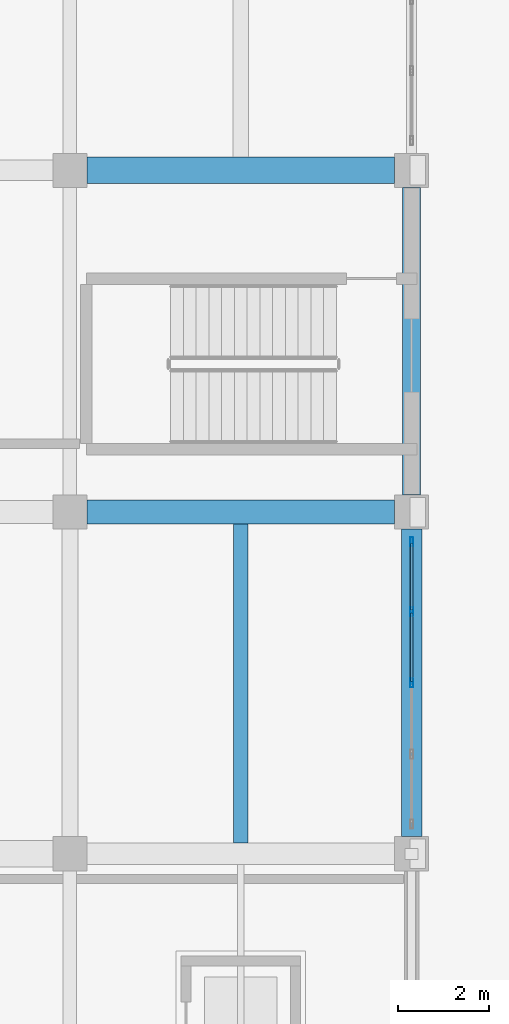
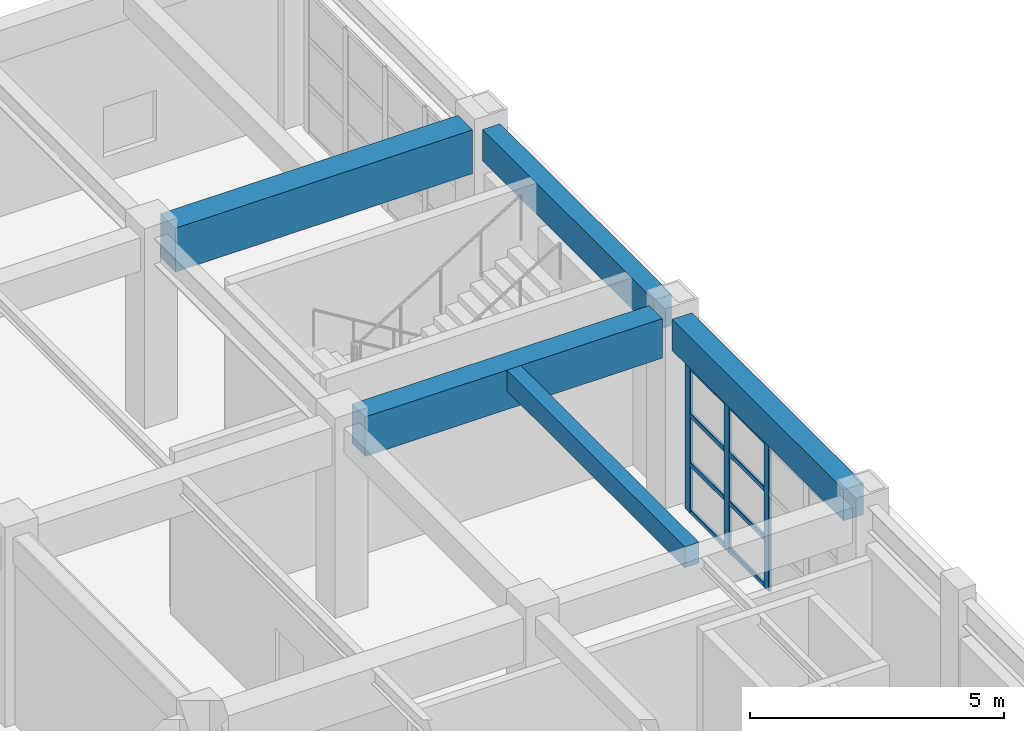
# One storey, part 69 of 122: 11 members, 5 beams, 1 element without a shape of its own.
"""IFC4 building model written with IfcOpenShell, lengths in metres."""

from ifc_helpers import new_model, si_unit, direction, frame, origin, origin_2d, place, context, subcontext, project, spatial, rectangle, hollow_rectangle, extrude, material, material_profile, profile_set, type_object, element, aggregate, save


model = new_model("IFC4")

# Units and contexts
model_context = context("Model", 3, precision=1e-05, world=origin(), true_north=direction((0.0, 1.0)))
body_context = subcontext(model_context, "Body", "Model", "MODEL_VIEW")
ifc_project = project(units=[si_unit("LENGTHUNIT", "METRE"), si_unit("AREAUNIT", "SQUARE_METRE"), si_unit("VOLUMEUNIT", "CUBIC_METRE"), si_unit("PLANEANGLEUNIT", "RADIAN"), si_unit("MASSUNIT", "GRAM", prefix="KILO")], contexts=[model_context])

# Site, building, storey
site_placement = place(None, origin())
site = spatial("IfcSite", under=ifc_project, at=site_placement, CompositionType="ELEMENT")
building_placement = place(site_placement, origin())
building = spatial("IfcBuilding", under=site, at=building_placement, Name="Qasida Concert Hall", CompositionType="ELEMENT")
storey_placement = place(building_placement, origin())
storey = spatial("IfcBuildingStorey", under=building, at=storey_placement, Name="L00", CompositionType="ELEMENT", Elevation=0.0)

# Beams
ifc_material_1 = material(Name="Concrete C40/50", Category="concrete")
ifc_material_profile_1 = material_profile(ifc_material_1, rectangle(XDim=0.52001953125, YDim=0.949951171875, at=origin_2d()), Name="RC 520x950")
ifc_profile_set_1 = profile_set([ifc_material_profile_1], Name="Concrete C40/50")
beam_type_1 = type_object("IfcBeamType", Name="BM-G7", PredefinedType="USERDEFINED", material=ifc_profile_set_1)
beam_1_placement = place(storey_placement, frame((157.875, 97.5, 4.02490234375), z_axis=(1.0, 0.0, 0.0), x_axis=(0.0, 1.0, 0.0)))
element("IfcBeam", 1, at=beam_1_placement, inside=storey, type_object=beam_type_1, Name="Primary girder 0612", ObjectType="GIRDER", PredefinedType="USERDEFINED", context=body_context, shape_type="SweptSolid", body=[
    extrude(rectangle(XDim=0.52001953125, YDim=0.949951171875, at=origin_2d()), origin(), (0.0, 0.0, 1.0), 6.75),
])
ifc_material_2 = material(Name="Concrete C50/60", Category="concrete")
ifc_material_profile_2 = material_profile(ifc_material_2, rectangle(XDim=0.580078125, YDim=1.050048828125, at=origin_2d()), Name="RC 580x1050")
ifc_profile_set_2 = profile_set([ifc_material_profile_2], Name="Concrete C50/60")
beam_type_2 = type_object("IfcBeamType", Name="BM-G8", PredefinedType="USERDEFINED", material=ifc_profile_set_2)
beam_2_placement = place(storey_placement, frame((157.875, 105.0, 3.97509765625), z_axis=(1.0, 0.0, 0.0), x_axis=(0.0, 1.0, 0.0)))
element("IfcBeam", 2, at=beam_2_placement, inside=storey, type_object=beam_type_2, Name="Primary girder 0618", ObjectType="GIRDER", PredefinedType="USERDEFINED", context=body_context, shape_type="SweptSolid", body=[
    extrude(rectangle(XDim=0.580078125, YDim=1.050048828125, at=origin_2d()), origin(), (0.0, 0.0, 1.0), 6.75),
])
ifc_material_profile_3 = material_profile(ifc_material_1, rectangle(XDim=0.320068359375, YDim=0.5, at=origin_2d()), Name="RC 320x500")
ifc_profile_set_3 = profile_set([ifc_material_profile_3], Name="Concrete C40/50")
beam_type_3 = type_object("IfcBeamType", Name="BM-J7", PredefinedType="JOIST", material=ifc_profile_set_3)
beam_3_placement = place(storey_placement, frame((161.25, 90.239990234375, 4.25), z_axis=(0.0, 1.0, 0.0), x_axis=(-1.0, 0.0, 0.0)))
element("IfcBeam", 3, at=beam_3_placement, inside=storey, type_object=beam_type_3, Name="L00 secondary joist 0686", PredefinedType="JOIST", context=body_context, shape_type="SweptSolid", body=[
    extrude(rectangle(XDim=0.320068359375, YDim=0.5, at=origin_2d()), origin(), (0.0, 0.0, 1.0), 7.0),
])
ifc_material_profile_4 = material_profile(ifc_material_1, rectangle(XDim=0.39990234375, YDim=0.75, at=origin_2d()), Name="RC 400x750")
ifc_profile_set_4 = profile_set([ifc_material_profile_4], Name="Concrete C40/50")
beam_type_4 = type_object("IfcBeamType", Name="BM-SP1", PredefinedType="SPANDREL", material=ifc_profile_set_4)
beam_4_placement = place(storey_placement, frame((165.0, 97.875, 4.125), z_axis=(0.0, 1.0, 0.0), x_axis=(-1.0, 0.0, 0.0)))
element("IfcBeam", 4, at=beam_4_placement, inside=storey, type_object=beam_type_4, Name="L00 girder 0658", PredefinedType="SPANDREL", context=body_context, shape_type="SweptSolid", body=[
    extrude(rectangle(XDim=0.39990234375, YDim=0.75, at=origin_2d()), origin(), (0.0, 0.0, 1.0), 6.75),
])
ifc_material_profile_5 = material_profile(ifc_material_1, rectangle(XDim=0.449951171875, YDim=0.75, at=origin_2d()), Name="RC 450x750")
ifc_profile_set_5 = profile_set([ifc_material_profile_5], Name="Concrete C40/50")
beam_type_5 = type_object("IfcBeamType", Name="BM-SP4", PredefinedType="SPANDREL", material=ifc_profile_set_5)
beam_5_placement = place(storey_placement, frame((165.0, 90.375, 4.125), z_axis=(0.0, 1.0, 0.0), x_axis=(-1.0, 0.0, 0.0)))
element("IfcBeam", 5, at=beam_5_placement, inside=storey, type_object=beam_type_5, Name="L00 girder 0657", PredefinedType="SPANDREL", context=body_context, shape_type="SweptSolid", body=[
    extrude(rectangle(XDim=0.449951171875, YDim=0.75, at=origin_2d()), origin(), (0.0, 0.0, 1.0), 6.75),
])

# Curtain wall, members
ifc_material_3 = material(Name="Architectural bronze-anodized aluminium and low-E glass", Category="aluminium")
curtain_wall_type = type_object("IfcCurtainWallType", Name="CW-11", PredefinedType="NOTDEFINED", material=ifc_material_3)
curtain_wall_placement = place(storey_placement, origin())
curtain_wall = element("IfcCurtainWall", 6, at=curtain_wall_placement, inside=storey, type_object=curtain_wall_type, Name="L00 curtain wall CW-11 0157", PredefinedType="NOTDEFINED")
ifc_material_4 = material(Name="Architectural bronze-anodized aluminium EN AW-6063", Category="aluminium")
ifc_material_profile_6 = material_profile(ifc_material_4, hollow_rectangle(XDim=0.06494140625, YDim=0.199951171875, WallThickness=0.0048828125, InnerFilletRadius=0.0048828125, OuterFilletRadius=0.010009765625, at=origin_2d()), Name="CWM 200x65x5")
ifc_profile_set_6 = profile_set([ifc_material_profile_6], Name="Architectural bronze-anodized aluminium EN AW-6063")
member_type_1 = type_object("IfcMemberType", Name="MB-CWM-2", PredefinedType="MULLION", material=ifc_profile_set_6)
member_1_placement = place(storey_placement, frame((165.0, 93.75, 0.0), z_axis=(0.0, 0.0, 1.0), x_axis=(-1.0, 0.0, 0.0)))
member_1 = element("IfcMember", 7, at=member_1_placement, type_object=member_type_1, Name="CW-11 mullion 3", PredefinedType="MULLION", context=body_context, shape_type="SweptSolid", body=[
    extrude(hollow_rectangle(XDim=0.06494140625, YDim=0.199951171875, WallThickness=0.0048828125, InnerFilletRadius=0.0048828125, OuterFilletRadius=0.010009765625, at=origin_2d()), origin(), (0.0, 0.0, 1.0), 3.52001953125),
])
member_2_placement = place(storey_placement, frame((165.0, 95.31494140625, 0.0), z_axis=(0.0, 0.0, 1.0), x_axis=(-1.0, 0.0, 0.0)))
member_2 = element("IfcMember", 8, at=member_2_placement, type_object=member_type_1, Name="CW-11 mullion 4", PredefinedType="MULLION", context=body_context, shape_type="SweptSolid", body=[
    extrude(hollow_rectangle(XDim=0.06494140625, YDim=0.199951171875, WallThickness=0.0048828125, InnerFilletRadius=0.0048828125, OuterFilletRadius=0.010009765625, at=origin_2d()), origin(), (0.0, 0.0, 1.0), 3.52001953125),
])
member_3_placement = place(storey_placement, frame((165.0, 96.847412109375, 0.0), z_axis=(0.0, 0.0, 1.0), x_axis=(-1.0, 0.0, 0.0)))
member_3 = element("IfcMember", 9, at=member_3_placement, type_object=member_type_1, Name="CW-11 mullion 5", PredefinedType="MULLION", context=body_context, shape_type="SweptSolid", body=[
    extrude(hollow_rectangle(XDim=0.06494140625, YDim=0.199951171875, WallThickness=0.0048828125, InnerFilletRadius=0.0048828125, OuterFilletRadius=0.010009765625, at=origin_2d()), origin(), (0.0, 0.0, 1.0), 3.52001953125),
])
ifc_material_profile_7 = material_profile(ifc_material_4, hollow_rectangle(XDim=0.06005859375, YDim=0.1201171875, WallThickness=0.00390625, InnerFilletRadius=0.00390625, OuterFilletRadius=0.008056640625, at=origin_2d()), Name="CWT 120x60x4")
ifc_profile_set_7 = profile_set([ifc_material_profile_7], Name="Architectural bronze-anodized aluminium EN AW-6063")
member_type_2 = type_object("IfcMemberType", Name="MB-CWT-2", PredefinedType="USERDEFINED", material=ifc_profile_set_7)
member_4_placement = place(storey_placement, frame((165.0, 93.782470703125, 0.030029296875), z_axis=(0.0, 1.0, 0.0), x_axis=(-1.0, 0.0, 0.0)))
member_4 = element("IfcMember", 10, at=member_4_placement, type_object=member_type_2, Name="CW-11 transom 3.1", ObjectType="TRANSOM", PredefinedType="USERDEFINED", context=body_context, shape_type="SweptSolid", body=[
    extrude(hollow_rectangle(XDim=0.06005859375, YDim=0.1201171875, WallThickness=0.00390625, InnerFilletRadius=0.00390625, OuterFilletRadius=0.008056640625, at=origin_2d()), origin(), (0.0, 0.0, 1.0), 1.5),
])
member_5_placement = place(storey_placement, frame((165.0, 93.782470703125, 1.17333984375), z_axis=(0.0, 1.0, 0.0), x_axis=(-1.0, 0.0, 0.0)))
member_5 = element("IfcMember", 11, at=member_5_placement, type_object=member_type_2, Name="CW-11 transom 3.2", ObjectType="TRANSOM", PredefinedType="USERDEFINED", context=body_context, shape_type="SweptSolid", body=[
    extrude(hollow_rectangle(XDim=0.06005859375, YDim=0.1201171875, WallThickness=0.00390625, InnerFilletRadius=0.00390625, OuterFilletRadius=0.008056640625, at=origin_2d()), origin(), (0.0, 0.0, 1.0), 1.5),
])
member_6_placement = place(storey_placement, frame((165.0, 93.782470703125, 2.3466796875), z_axis=(0.0, 1.0, 0.0), x_axis=(-1.0, 0.0, 0.0)))
member_6 = element("IfcMember", 12, at=member_6_placement, type_object=member_type_2, Name="CW-11 transom 3.3", ObjectType="TRANSOM", PredefinedType="USERDEFINED", context=body_context, shape_type="SweptSolid", body=[
    extrude(hollow_rectangle(XDim=0.06005859375, YDim=0.1201171875, WallThickness=0.00390625, InnerFilletRadius=0.00390625, OuterFilletRadius=0.008056640625, at=origin_2d()), origin(), (0.0, 0.0, 1.0), 1.5),
])
member_7_placement = place(storey_placement, frame((165.0, 93.782470703125, 3.489990234375), z_axis=(0.0, 1.0, 0.0), x_axis=(-1.0, 0.0, 0.0)))
member_7 = element("IfcMember", 13, at=member_7_placement, type_object=member_type_2, Name="CW-11 transom 3.4", ObjectType="TRANSOM", PredefinedType="USERDEFINED", context=body_context, shape_type="SweptSolid", body=[
    extrude(hollow_rectangle(XDim=0.06005859375, YDim=0.1201171875, WallThickness=0.00390625, InnerFilletRadius=0.00390625, OuterFilletRadius=0.008056640625, at=origin_2d()), origin(), (0.0, 0.0, 1.0), 1.5),
])
member_8_placement = place(storey_placement, frame((165.0, 95.347412109375, 0.030029296875), z_axis=(0.0, 1.0, 0.0), x_axis=(-1.0, 0.0, 0.0)))
member_8 = element("IfcMember", 14, at=member_8_placement, type_object=member_type_2, Name="CW-11 transom 4.1", ObjectType="TRANSOM", PredefinedType="USERDEFINED", context=body_context, shape_type="SweptSolid", body=[
    extrude(hollow_rectangle(XDim=0.06005859375, YDim=0.1201171875, WallThickness=0.00390625, InnerFilletRadius=0.00390625, OuterFilletRadius=0.008056640625, at=origin_2d()), origin(), (0.0, 0.0, 1.0), 1.467529296875),
])
member_9_placement = place(storey_placement, frame((165.0, 95.347412109375, 1.17333984375), z_axis=(0.0, 1.0, 0.0), x_axis=(-1.0, 0.0, 0.0)))
member_9 = element("IfcMember", 15, at=member_9_placement, type_object=member_type_2, Name="CW-11 transom 4.2", ObjectType="TRANSOM", PredefinedType="USERDEFINED", context=body_context, shape_type="SweptSolid", body=[
    extrude(hollow_rectangle(XDim=0.06005859375, YDim=0.1201171875, WallThickness=0.00390625, InnerFilletRadius=0.00390625, OuterFilletRadius=0.008056640625, at=origin_2d()), origin(), (0.0, 0.0, 1.0), 1.467529296875),
])
member_10_placement = place(storey_placement, frame((165.0, 95.347412109375, 2.3466796875), z_axis=(0.0, 1.0, 0.0), x_axis=(-1.0, 0.0, 0.0)))
member_10 = element("IfcMember", 16, at=member_10_placement, type_object=member_type_2, Name="CW-11 transom 4.3", ObjectType="TRANSOM", PredefinedType="USERDEFINED", context=body_context, shape_type="SweptSolid", body=[
    extrude(hollow_rectangle(XDim=0.06005859375, YDim=0.1201171875, WallThickness=0.00390625, InnerFilletRadius=0.00390625, OuterFilletRadius=0.008056640625, at=origin_2d()), origin(), (0.0, 0.0, 1.0), 1.467529296875),
])
member_11_placement = place(storey_placement, frame((165.0, 95.347412109375, 3.489990234375), z_axis=(0.0, 1.0, 0.0), x_axis=(-1.0, 0.0, 0.0)))
member_11 = element("IfcMember", 17, at=member_11_placement, type_object=member_type_2, Name="CW-11 transom 4.4", ObjectType="TRANSOM", PredefinedType="USERDEFINED", context=body_context, shape_type="SweptSolid", body=[
    extrude(hollow_rectangle(XDim=0.06005859375, YDim=0.1201171875, WallThickness=0.00390625, InnerFilletRadius=0.00390625, OuterFilletRadius=0.008056640625, at=origin_2d()), origin(), (0.0, 0.0, 1.0), 1.467529296875),
])
aggregate(curtain_wall, [member_1, member_2, member_3, member_4, member_5, member_6, member_7, member_8, member_9, member_10, member_11])

save(model, "model.ifc")
